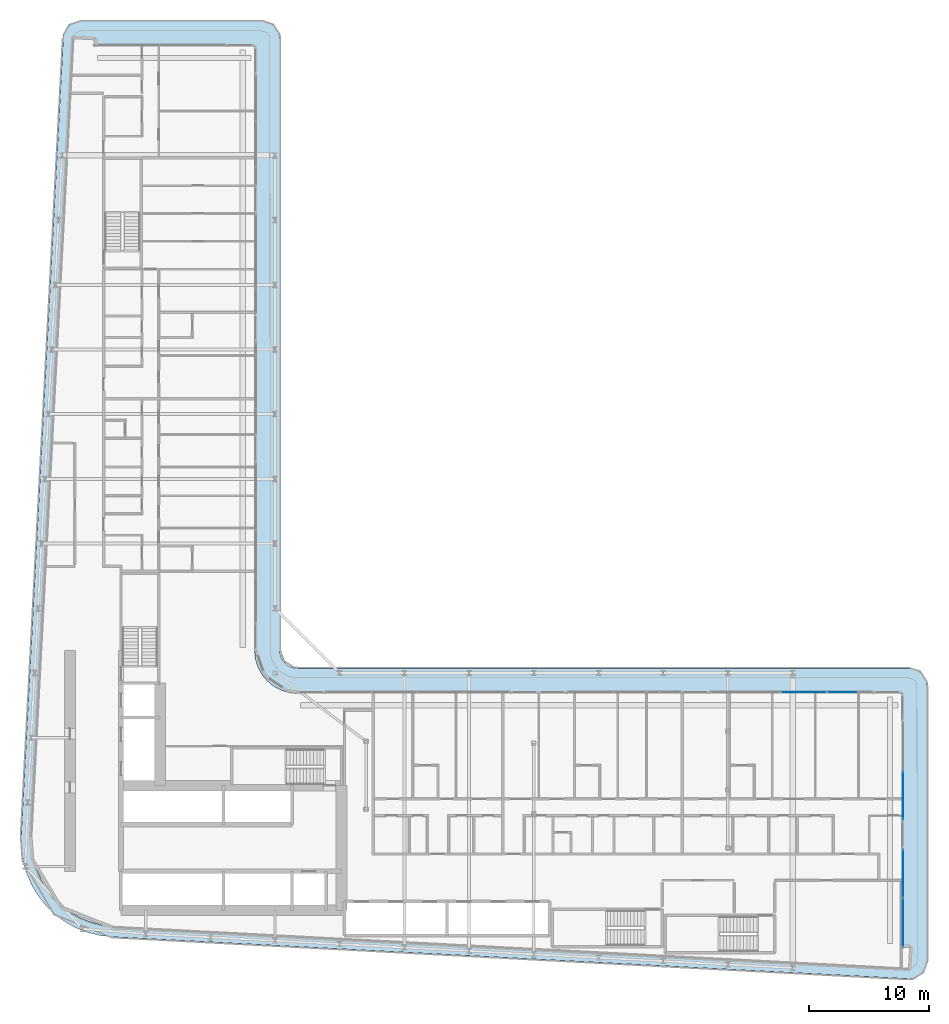
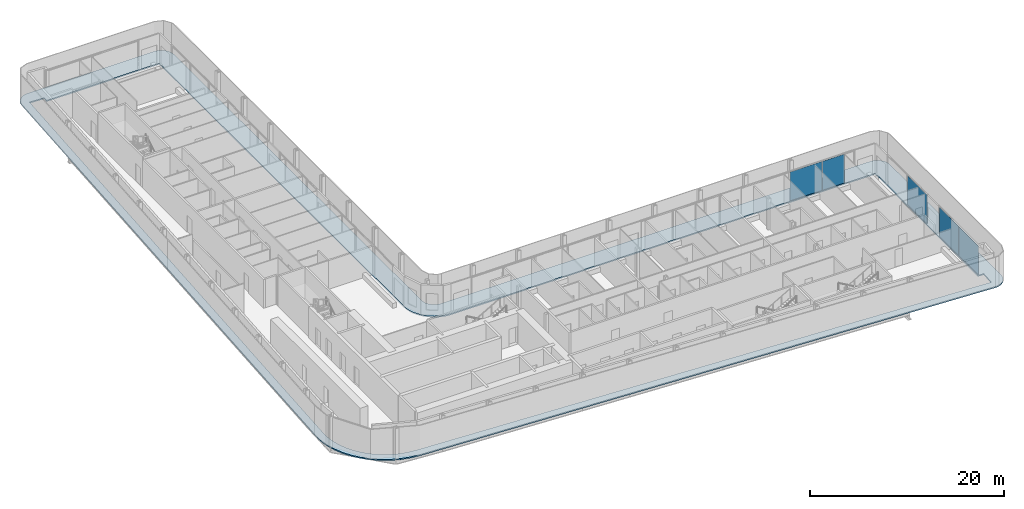
# One storey, part 12 of 29: 5 plates, 1 slab, 3 elements without a shape of their own.
"""IFC4 building model written with IfcOpenShell, lengths in metres."""

from ifc_helpers import new_model, si_unit, direction, frame, origin, origin_2d, place, context, subcontext, project, spatial, polyline, rectangle, outline, extrude, material, layer, layer_set, type_object, element, aggregate, save


model = new_model("IFC4")

# Units and contexts
model_context = context("Model", 3, precision=1e-05, world=origin(), true_north=direction((0.0, 1.0)))
body_context = subcontext(model_context, "Body", "Model", "MODEL_VIEW")
ifc_project = project(units=[si_unit("LENGTHUNIT", "METRE"), si_unit("AREAUNIT", "SQUARE_METRE"), si_unit("VOLUMEUNIT", "CUBIC_METRE"), si_unit("PLANEANGLEUNIT", "RADIAN"), si_unit("MASSUNIT", "GRAM", prefix="KILO")], contexts=[model_context])

# Site, building, storey
site_placement = place(None, origin())
site = spatial("IfcSite", under=ifc_project, at=site_placement, CompositionType="ELEMENT")
building_placement = place(site_placement, origin())
building = spatial("IfcBuilding", under=site, at=building_placement, Name="Kheshtan School and Residences Tower", CompositionType="ELEMENT")
storey_placement = place(building_placement, frame((0.0, 0.0, 121.39990234375)))
storey = spatial("IfcBuildingStorey", under=building, at=storey_placement, Name="L28", CompositionType="ELEMENT", Elevation=121.39990234375)

# Curtain wall, plates
ifc_material_1 = material(Name="Clear low-e glass in thermally broken aluminium frame", Category="aluminium")
ifc_layer_1 = layer(ifc_material_1, 0.199951171875)
ifc_layer_set_1 = layer_set([ifc_layer_1], Name="Curtain wall CW-L")
curtain_wall_type = type_object("IfcCurtainWallType", Name="Curtain wall CW-L", PredefinedType="NOTDEFINED", material=ifc_layer_set_1)
curtain_wall_1_placement = place(storey_placement, origin())
curtain_wall_1 = element("IfcCurtainWall", 1, at=curtain_wall_1_placement, inside=storey, type_object=curtain_wall_type, Name="Curtain wall CWL12k", PredefinedType="NOTDEFINED")
ifc_layer_2 = layer(ifc_material_1, 0.031982421875)
ifc_layer_set_2 = layer_set([ifc_layer_2], Name="CW-L glass panel")
plate_type = type_object("IfcPlateType", Name="CW-L glass panel", PredefinedType="CURTAIN_PANEL", material=ifc_layer_set_2)
plate_1_placement = place(storey_placement, frame((91.714599609375, 44.0, 0.000244140625), z_axis=(0.0, 0.0, 1.0), x_axis=(1.0, 0.0, 0.0)))
plate_1 = element("IfcPlate", 2, at=plate_1_placement, type_object=plate_type, Name="CWL12k panel 1.1", PredefinedType="CURTAIN_PANEL", context=body_context, shape_type="SweptSolid", body=[
    extrude(rectangle(XDim=3.81689453125, YDim=0.031982421875, at=origin_2d()), origin(), (0.0, 0.0, 1.0), 3.6298828125),
])
plate_2_placement = place(storey_placement, frame((94.9765625, 44.0, 0.000244140625), z_axis=(0.0, 0.0, 1.0), x_axis=(1.0, 0.0, 0.0)))
plate_2 = element("IfcPlate", 3, at=plate_2_placement, type_object=plate_type, Name="CWL12k panel 2.1", PredefinedType="CURTAIN_PANEL", context=body_context, shape_type="SweptSolid", body=[
    extrude(rectangle(XDim=2.5869140625, YDim=0.031982421875, at=origin_2d()), origin(), (0.0, 0.0, 1.0), 3.6298828125),
])
aggregate(curtain_wall_1, [plate_1, plate_2])

# Curtain wall, plate
curtain_wall_2_placement = place(storey_placement, origin())
curtain_wall_2 = element("IfcCurtainWall", 4, at=curtain_wall_2_placement, inside=storey, type_object=curtain_wall_type, Name="Curtain wall CWL13b", PredefinedType="NOTDEFINED")
plate_3_placement = place(storey_placement, frame((100.0, 35.370361328125, 0.000244140625), z_axis=(0.0, 0.0, 1.0), x_axis=(0.0, -1.0, 0.0)))
plate_3 = element("IfcPlate", 5, at=plate_3_placement, type_object=plate_type, Name="CWL13b panel 2.1", PredefinedType="CURTAIN_PANEL", context=body_context, shape_type="SweptSolid", body=[
    extrude(rectangle(XDim=4.006591796875, YDim=0.031982421875, at=origin_2d()), origin(), (0.0, 0.0, 1.0), 3.6298828125),
])
aggregate(curtain_wall_2, [plate_3])

# Curtain wall, plates
curtain_wall_3_placement = place(storey_placement, origin())
curtain_wall_3 = element("IfcCurtainWall", 6, at=curtain_wall_3_placement, inside=storey, type_object=curtain_wall_type, Name="Curtain wall CWL13b", PredefinedType="NOTDEFINED")
plate_4_placement = place(storey_placement, frame((100.0, 28.84375, 0.000244140625), z_axis=(0.0, 0.0, 1.0), x_axis=(0.0, -1.0, 0.0)))
plate_4 = element("IfcPlate", 7, at=plate_4_placement, type_object=plate_type, Name="CWL13b panel 1.1", PredefinedType="CURTAIN_PANEL", context=body_context, shape_type="SweptSolid", body=[
    extrude(rectangle(XDim=4.006591796875, YDim=0.031982421875, at=origin_2d()), origin(), (0.0, 0.0, 1.0), 3.6298828125),
])
plate_5_placement = place(storey_placement, frame((100.0, 24.77734375, 0.000244140625), z_axis=(0.0, 0.0, 1.0), x_axis=(0.0, -1.0, 0.0)))
plate_5 = element("IfcPlate", 8, at=plate_5_placement, type_object=plate_type, Name="CWL13b panel 2.1", PredefinedType="CURTAIN_PANEL", context=body_context, shape_type="SweptSolid", body=[
    extrude(rectangle(XDim=4.006591796875, YDim=0.031982421875, at=origin_2d()), origin(), (0.0, 0.0, 1.0), 3.6298828125),
])
aggregate(curtain_wall_3, [plate_4, plate_5])

# Slab
ifc_material_2 = material(Name="Concrete C40/50", Category="concrete")
ifc_layer_3 = layer(ifc_material_2, 0.14990234375)
ifc_layer_set_3 = layer_set([ifc_layer_3], Name="Loggia balcony slab 150 Concrete C40/50")
slab_type = type_object("IfcSlabType", Name="Loggia balcony slab 150 Concrete C40/50", PredefinedType="FLOOR", material=ifc_layer_set_3)
slab_placement = place(storey_placement, frame((0.0, 0.0, -0.14990234375)))
element("IfcSlab", 9, at=slab_placement, inside=storey, type_object=slab_type, Name="Loggia balcony slab L28", PredefinedType="FLOOR", context=body_context, shape_type="SweptSolid", body=[
    extrude(outline(polyline([(28.4580078125, 26.222900390625), (28.45703125, 26.222900390625), (28.45703125, 26.22412109375), (28.4560546875, 26.22412109375), (27.81494140625, 27.0390625), (27.281005859375, 27.93798828125), (26.867919921875, 28.89990234375), (26.583984375, 29.89990234375), (26.583984375, 29.906982421875), (26.43408203125, 30.943115234375), (26.419921875, 31.989013671875), (29.925048828125, 98.5791015625), (29.930908203125, 98.626953125), (29.930908203125, 98.6279296875), (29.929931640625, 98.6279296875), (29.929931640625, 98.62890625), (29.928955078125, 98.62890625), (29.928955078125, 98.6298828125), (29.927978515625, 98.6298828125), (29.927978515625, 98.631103515625), (29.927001953125, 98.631103515625), (29.927001953125, 98.632080078125), (29.927001953125, 98.633056640625), (29.945068359375, 98.781005859375), (29.945068359375, 98.783935546875), (29.945068359375, 98.784912109375), (29.946044921875, 98.784912109375), (29.946044921875, 98.785888671875), (29.947021484375, 98.785888671875), (29.947021484375, 98.787109375), (29.947998046875, 98.787109375), (29.948974609375, 98.787109375), (29.948974609375, 98.7880859375), (29.949951171875, 98.7880859375), (29.949951171875, 98.7890625), (29.949951171875, 98.791015625), (30.0029296875, 98.98388671875), (30.083984375, 99.175048828125), (30.18896484375, 99.35302734375), (30.31103515625, 99.507080078125), (30.31201171875, 99.507080078125), (30.31201171875, 99.508056640625), (30.31298828125, 99.508056640625), (30.31298828125, 99.509033203125), (30.31396484375, 99.509033203125), (30.31396484375, 99.510009765625), (30.31494140625, 99.510009765625), (30.31494140625, 99.510986328125), (30.31591796875, 99.510986328125), (30.31591796875, 99.511962890625), (30.31689453125, 99.511962890625), (30.31689453125, 99.512939453125), (30.318115234375, 99.512939453125), (30.320068359375, 99.512939453125), (30.321044921875, 99.512939453125), (30.321044921875, 99.513916015625), (30.468017578125, 99.656982421875), (30.468994140625, 99.656982421875), (30.468994140625, 99.657958984375), (30.469970703125, 99.657958984375), (30.469970703125, 99.658935546875), (30.470947265625, 99.658935546875), (30.470947265625, 99.659912109375), (30.471923828125, 99.659912109375), (30.471923828125, 99.660888671875), (30.472900390625, 99.660888671875), (30.472900390625, 99.662109375), (30.47412109375, 99.662109375), (30.47412109375, 99.6630859375), (30.47509765625, 99.6630859375), (30.47509765625, 99.6640625), (30.635986328125, 99.777099609375), (30.820068359375, 99.873046875), (31.007080078125, 99.943115234375), (31.013916015625, 99.943115234375), (31.217041015625, 99.986083984375), (31.423095703125, 100.0), (46.5, 100.0), (46.696044921875, 99.987060546875), (46.887939453125, 99.948974609375), (46.89501953125, 99.948974609375), (47.073974609375, 99.885986328125), (47.243896484375, 99.801025390625), (47.2451171875, 99.801025390625), (47.2470703125, 99.801025390625), (47.248046875, 99.801025390625), (47.248046875, 99.802001953125), (47.2490234375, 99.802001953125), (47.2490234375, 99.802978515625), (47.25, 99.802978515625), (47.2529296875, 99.802978515625), (47.25390625, 99.802978515625), (47.25390625, 99.802001953125), (47.2548828125, 99.802001953125), (47.2548828125, 99.801025390625), (47.256103515625, 99.801025390625), (47.256103515625, 99.800048828125), (47.257080078125, 99.800048828125), (47.257080078125, 99.799072265625), (47.258056640625, 99.799072265625), (47.258056640625, 99.798095703125), (47.412109375, 99.696044921875), (47.4130859375, 99.696044921875), (47.4130859375, 99.695068359375), (47.4140625, 99.695068359375), (47.4140625, 99.694091796875), (47.4140625, 99.68994140625), (47.4140625, 99.68896484375), (47.4150390625, 99.68896484375), (47.4150390625, 99.68798828125), (47.416015625, 99.68798828125), (47.416015625, 99.68701171875), (47.4169921875, 99.68701171875), (47.4169921875, 99.68603515625), (47.554931640625, 99.568115234375), (47.554931640625, 99.56689453125), (47.555908203125, 99.56689453125), (47.555908203125, 99.56591796875), (47.556884765625, 99.56591796875), (47.556884765625, 99.56494140625), (47.55810546875, 99.56494140625), (47.55810546875, 99.56396484375), (47.55908203125, 99.56396484375), (47.55908203125, 99.56298828125), (47.56005859375, 99.56298828125), (47.56005859375, 99.56201171875), (47.56103515625, 99.56201171875), (47.56201171875, 99.56103515625), (47.56201171875, 99.56005859375), (47.56298828125, 99.56005859375), (47.56298828125, 99.55908203125), (47.56396484375, 99.55908203125), (47.56396484375, 99.55810546875), (47.56494140625, 99.55810546875), (47.56494140625, 99.556884765625), (47.56591796875, 99.556884765625), (47.56591796875, 99.555908203125), (47.56689453125, 99.555908203125), (47.56689453125, 99.554931640625), (47.568115234375, 99.554931640625), (47.68505859375, 99.41796875), (47.68603515625, 99.41796875), (47.68603515625, 99.4169921875), (47.68701171875, 99.4169921875), (47.68701171875, 99.416015625), (47.68798828125, 99.416015625), (47.68798828125, 99.4150390625), (47.68896484375, 99.4150390625), (47.68896484375, 99.4140625), (47.68994140625, 99.4140625), (47.694091796875, 99.4140625), (47.695068359375, 99.4140625), (47.695068359375, 99.4130859375), (47.696044921875, 99.4130859375), (47.696044921875, 99.412109375), (47.797119140625, 99.259033203125), (47.798095703125, 99.259033203125), (47.798095703125, 99.258056640625), (47.799072265625, 99.258056640625), (47.799072265625, 99.257080078125), (47.800048828125, 99.257080078125), (47.800048828125, 99.256103515625), (47.801025390625, 99.256103515625), (47.801025390625, 99.2548828125), (47.802001953125, 99.2548828125), (47.802001953125, 99.25390625), (47.802978515625, 99.25390625), (47.802978515625, 99.2529296875), (47.802978515625, 99.25), (47.802978515625, 99.2490234375), (47.802001953125, 99.2490234375), (47.802001953125, 99.248046875), (47.801025390625, 99.248046875), (47.801025390625, 99.2470703125), (47.801025390625, 99.243896484375), (47.801025390625, 99.242919921875), (47.885986328125, 99.073974609375), (47.948974609375, 98.89501953125), (47.948974609375, 98.887939453125), (47.987060546875, 98.696044921875), (48.0, 98.5), (48.0, 47.5), (48.012939453125, 47.303955078125), (48.051025390625, 47.113037109375), (48.051025390625, 47.10693359375), (48.051025390625, 47.10595703125), (48.114013671875, 46.926025390625), (48.200927734375, 46.75), (48.31005859375, 46.5869140625), (48.431884765625, 46.444091796875), (48.43310546875, 46.444091796875), (48.43310546875, 46.443115234375), (48.43408203125, 46.443115234375), (48.43408203125, 46.44189453125), (48.43505859375, 46.44189453125), (48.43505859375, 46.44091796875), (48.43603515625, 46.44091796875), (48.43603515625, 46.43994140625), (48.43701171875, 46.43994140625), (48.43701171875, 46.43896484375), (48.43798828125, 46.43896484375), (48.43896484375, 46.43798828125), (48.43896484375, 46.43701171875), (48.43994140625, 46.43701171875), (48.43994140625, 46.43603515625), (48.44091796875, 46.43603515625), (48.44091796875, 46.43505859375), (48.44189453125, 46.43505859375), (48.44189453125, 46.43408203125), (48.443115234375, 46.43408203125), (48.443115234375, 46.43310546875), (48.444091796875, 46.43310546875), (48.444091796875, 46.431884765625), (48.5869140625, 46.31005859375), (48.75, 46.200927734375), (48.926025390625, 46.114013671875), (49.10595703125, 46.051025390625), (49.10693359375, 46.051025390625), (49.113037109375, 46.051025390625), (49.303955078125, 46.012939453125), (49.5, 46.0), (100.5, 46.0), (100.696044921875, 45.987060546875), (100.887939453125, 45.948974609375), (100.89501953125, 45.948974609375), (101.073974609375, 45.885986328125), (101.241943359375, 45.801025390625), (101.242919921875, 45.801025390625), (101.2470703125, 45.801025390625), (101.248046875, 45.801025390625), (101.248046875, 45.802001953125), (101.2490234375, 45.802001953125), (101.2490234375, 45.802978515625), (101.25, 45.802978515625), (101.2529296875, 45.802978515625), (101.25390625, 45.802978515625), (101.25390625, 45.802001953125), (101.2548828125, 45.802001953125), (101.2548828125, 45.801025390625), (101.256103515625, 45.801025390625), (101.256103515625, 45.800048828125), (101.257080078125, 45.800048828125), (101.257080078125, 45.799072265625), (101.258056640625, 45.799072265625), (101.258056640625, 45.798095703125), (101.259033203125, 45.798095703125), (101.259033203125, 45.797119140625), (101.260009765625, 45.797119140625), (101.260009765625, 45.7958984375), (101.412109375, 45.696044921875), (101.4130859375, 45.696044921875), (101.4130859375, 45.695068359375), (101.4140625, 45.695068359375), (101.4140625, 45.694091796875), (101.4140625, 45.68994140625), (101.4140625, 45.68896484375), (101.4150390625, 45.68896484375), (101.4150390625, 45.68798828125), (101.416015625, 45.68798828125), (101.416015625, 45.68701171875), (101.4169921875, 45.68701171875), (101.4169921875, 45.68603515625), (101.41796875, 45.68603515625), (101.41796875, 45.68505859375), (101.4189453125, 45.68505859375), (101.4189453125, 45.68408203125), (101.554931640625, 45.568115234375), (101.554931640625, 45.56689453125), (101.555908203125, 45.56689453125), (101.555908203125, 45.56591796875), (101.556884765625, 45.56591796875), (101.556884765625, 45.56494140625), (101.55810546875, 45.56494140625), (101.55810546875, 45.56396484375), (101.55908203125, 45.56396484375), (101.55908203125, 45.56298828125), (101.56005859375, 45.56298828125), (101.56005859375, 45.56201171875), (101.56103515625, 45.56201171875), (101.56201171875, 45.56103515625), (101.56201171875, 45.56005859375), (101.56298828125, 45.56005859375), (101.56298828125, 45.55908203125), (101.56396484375, 45.55908203125), (101.56396484375, 45.55810546875), (101.56494140625, 45.55810546875), (101.56494140625, 45.556884765625), (101.56591796875, 45.556884765625), (101.56591796875, 45.555908203125), (101.56689453125, 45.555908203125), (101.56689453125, 45.554931640625), (101.568115234375, 45.554931640625), (101.681884765625, 45.4208984375), (101.68310546875, 45.4208984375), (101.68310546875, 45.419921875), (101.68408203125, 45.419921875), (101.68408203125, 45.4189453125), (101.68505859375, 45.4189453125), (101.68505859375, 45.41796875), (101.68603515625, 45.41796875), (101.68603515625, 45.4169921875), (101.68701171875, 45.4169921875), (101.68701171875, 45.416015625), (101.68798828125, 45.416015625), (101.68798828125, 45.4150390625), (101.68896484375, 45.4150390625), (101.68896484375, 45.4140625), (101.68994140625, 45.4140625), (101.694091796875, 45.4140625), (101.695068359375, 45.4140625), (101.695068359375, 45.4130859375), (101.696044921875, 45.4130859375), (101.696044921875, 45.412109375), (101.7939453125, 45.261962890625), (101.794921875, 45.261962890625), (101.794921875, 45.260986328125), (101.7958984375, 45.260986328125), (101.7958984375, 45.260009765625), (101.797119140625, 45.260009765625), (101.797119140625, 45.259033203125), (101.798095703125, 45.259033203125), (101.798095703125, 45.258056640625), (101.799072265625, 45.258056640625), (101.799072265625, 45.257080078125), (101.800048828125, 45.257080078125), (101.800048828125, 45.256103515625), (101.801025390625, 45.256103515625), (101.801025390625, 45.2548828125), (101.802001953125, 45.2548828125), (101.802001953125, 45.25390625), (101.802978515625, 45.25390625), (101.802978515625, 45.2529296875), (101.802978515625, 45.25), (101.802978515625, 45.2490234375), (101.802001953125, 45.2490234375), (101.802001953125, 45.248046875), (101.801025390625, 45.248046875), (101.801025390625, 45.2470703125), (101.801025390625, 45.240966796875), (101.801025390625, 45.239990234375), (101.885986328125, 45.073974609375), (101.948974609375, 44.89501953125), (101.948974609375, 44.887939453125), (101.987060546875, 44.696044921875), (102.0, 44.5), (102.0, 21.5810546875), (101.986083984375, 21.37890625), (101.945068359375, 21.179931640625), (101.945068359375, 21.173095703125), (101.8779296875, 20.989013671875), (101.785888671875, 20.80810546875), (101.6708984375, 20.64306640625), (101.6708984375, 20.64208984375), (101.6708984375, 20.64111328125), (101.6708984375, 20.639892578125), (101.672119140625, 20.639892578125), (101.672119140625, 20.638916015625), (101.672119140625, 20.636962890625), (101.672119140625, 20.635986328125), (101.6708984375, 20.635986328125), (101.6708984375, 20.635009765625), (101.5380859375, 20.491943359375), (101.534912109375, 20.489013671875), (101.533935546875, 20.489013671875), (101.533935546875, 20.488037109375), (101.532958984375, 20.488037109375), (101.531005859375, 20.488037109375), (101.530029296875, 20.488037109375), (101.530029296875, 20.489013671875), (101.529052734375, 20.489013671875), (101.528076171875, 20.489013671875), (101.527099609375, 20.489013671875), (101.3759765625, 20.364013671875), (101.2041015625, 20.256103515625), (101.01904296875, 20.174072265625), (100.8310546875, 20.116943359375), (100.823974609375, 20.116943359375), (100.6240234375, 20.0859375), (100.4208984375, 20.0830078125), (33.989013671875, 23.580078125), (33.94189453125, 23.5859375), (33.94091796875, 23.5859375), (33.93994140625, 23.5859375), (33.93994140625, 23.5849609375), (33.93896484375, 23.5849609375), (33.93896484375, 23.583984375), (33.93798828125, 23.583984375), (33.93798828125, 23.5830078125), (33.93701171875, 23.5830078125), (33.93701171875, 23.58203125), (33.93603515625, 23.58203125), (33.93505859375, 23.58203125), (32.952880859375, 23.697998046875), (32.949951171875, 23.697998046875), (32.948974609375, 23.697998046875), (32.948974609375, 23.698974609375), (32.947998046875, 23.698974609375), (32.947998046875, 23.699951171875), (32.947021484375, 23.699951171875), (32.947021484375, 23.700927734375), (32.947021484375, 23.702880859375), (32.947021484375, 23.7041015625), (32.946044921875, 23.7041015625), (32.946044921875, 23.705078125), (32.945068359375, 23.705078125), (32.944091796875, 23.705078125), (31.93603515625, 23.9609375), (31.928955078125, 23.9609375), (30.964111328125, 24.34912109375), (30.051025390625, 24.860107421875), (29.218994140625, 25.47900390625), (29.218994140625, 25.47998046875), (29.218017578125, 25.47998046875), (29.218017578125, 25.48095703125), (29.217041015625, 25.48095703125), (29.217041015625, 25.48193359375), (29.216064453125, 25.48193359375), (29.216064453125, 25.48291015625), (29.215087890625, 25.48291015625), (29.215087890625, 25.48388671875), (29.214111328125, 25.48388671875), (29.214111328125, 25.485107421875), (29.212890625, 25.485107421875), (29.212890625, 25.486083984375), (29.2119140625, 25.486083984375), (28.466064453125, 26.217041015625), (28.466064453125, 26.218017578125), (28.465087890625, 26.218017578125), (28.462890625, 26.218017578125), (28.4619140625, 26.218017578125), (28.4619140625, 26.218994140625), (28.4609375, 26.218994140625), (28.4609375, 26.219970703125), (28.4599609375, 26.219970703125), (28.4599609375, 26.220947265625), (28.458984375, 26.220947265625), (28.458984375, 26.221923828125), (28.4580078125, 26.221923828125), (28.4580078125, 26.222900390625)]), holes=[polyline([(29.12890625, 26.824951171875), (29.12890625, 26.823974609375), (29.1298828125, 26.823974609375), (29.1298828125, 26.822998046875), (29.131103515625, 26.822998046875), (29.131103515625, 26.822021484375), (29.132080078125, 26.822021484375), (29.132080078125, 26.821044921875), (29.133056640625, 26.821044921875), (29.133056640625, 26.820068359375), (29.134033203125, 26.820068359375), (29.7958984375, 26.173095703125), (29.7958984375, 26.172119140625), (29.797119140625, 26.172119140625), (29.798095703125, 26.172119140625), (29.799072265625, 26.172119140625), (29.799072265625, 26.1708984375), (29.800048828125, 26.1708984375), (29.800048828125, 26.169921875), (29.801025390625, 26.169921875), (29.801025390625, 26.1689453125), (29.802001953125, 26.1689453125), (29.802001953125, 26.16796875), (29.802978515625, 26.16796875), (29.802978515625, 26.1669921875), (29.803955078125, 26.1669921875), (29.803955078125, 26.166015625), (30.541015625, 25.616943359375), (31.35205078125, 25.1630859375), (32.208984375, 24.819091796875), (32.2099609375, 24.819091796875), (32.216064453125, 24.819091796875), (33.114990234375, 24.590087890625), (34.06591796875, 24.47705078125), (100.43798828125, 20.98291015625), (100.465087890625, 20.98388671875), (100.466064453125, 20.98388671875), (100.467041015625, 20.98388671875), (100.467041015625, 20.985107421875), (100.468017578125, 20.985107421875), (100.468017578125, 20.986083984375), (100.468017578125, 20.987060546875), (100.55810546875, 22.676025390625), (100.55810546875, 22.677001953125), (100.55810546875, 22.677978515625), (100.556884765625, 22.677978515625), (100.556884765625, 22.678955078125), (100.555908203125, 22.678955078125), (100.554931640625, 22.678955078125), (99.90087890625, 22.714111328125), (99.89990234375, 22.714111328125), (99.89990234375, 22.715087890625), (99.89990234375, 43.89794921875), (99.89990234375, 43.89892578125), (99.89892578125, 43.89892578125), (99.89892578125, 43.89990234375), (99.89794921875, 43.89990234375), (49.429931640625, 43.89990234375), (49.030029296875, 43.927001953125), (48.569091796875, 44.01806640625), (48.56201171875, 44.01806640625), (48.1201171875, 44.169921875), (47.697021484375, 44.37890625), (47.30810546875, 44.638916015625), (46.95703125, 44.944091796875), (46.95703125, 44.945068359375), (46.9560546875, 44.945068359375), (46.9560546875, 44.946044921875), (46.955078125, 44.946044921875), (46.955078125, 44.947021484375), (46.9541015625, 44.947021484375), (46.9541015625, 44.947998046875), (46.952880859375, 44.947998046875), (46.952880859375, 44.948974609375), (46.951904296875, 44.948974609375), (46.951904296875, 44.949951171875), (46.951904296875, 44.950927734375), (46.950927734375, 44.950927734375), (46.950927734375, 44.951904296875), (46.949951171875, 44.951904296875), (46.948974609375, 44.951904296875), (46.948974609375, 44.952880859375), (46.947998046875, 44.952880859375), (46.947998046875, 44.9541015625), (46.947021484375, 44.9541015625), (46.947021484375, 44.955078125), (46.946044921875, 44.955078125), (46.946044921875, 44.9560546875), (46.945068359375, 44.9560546875), (46.945068359375, 44.95703125), (46.944091796875, 44.95703125), (46.638916015625, 45.30810546875), (46.37890625, 45.697021484375), (46.169921875, 46.1201171875), (46.01806640625, 46.56201171875), (46.01806640625, 46.569091796875), (45.927001953125, 47.030029296875), (45.89990234375, 47.429931640625), (45.89990234375, 97.89794921875), (45.89990234375, 97.89892578125), (45.89892578125, 97.89892578125), (45.89892578125, 97.89990234375), (45.89794921875, 97.89990234375), (32.492919921875, 97.89990234375), (32.491943359375, 97.89990234375), (32.52099609375, 98.43896484375), (32.52099609375, 98.43994140625), (32.52099609375, 98.44091796875), (32.52001953125, 98.44091796875), (32.52001953125, 98.44189453125), (32.51904296875, 98.44189453125), (32.51806640625, 98.44189453125), (30.8291015625, 98.531982421875), (30.827880859375, 98.531982421875), (30.826904296875, 98.531982421875), (30.826904296875, 98.531005859375), (30.825927734375, 98.531005859375), (30.825927734375, 98.530029296875), (30.825927734375, 98.529052734375), (30.822021484375, 98.5009765625), (27.320068359375, 31.970947265625), (27.3330078125, 31.013916015625), (27.466064453125, 30.093994140625), (27.466064453125, 30.087890625), (27.466064453125, 30.0869140625), (27.718017578125, 29.200927734375), (28.0849609375, 28.345947265625), (28.55908203125, 27.550048828125), (29.126953125, 26.825927734375), (29.1279296875, 26.825927734375), (29.1279296875, 26.824951171875), (29.12890625, 26.824951171875)])]), origin(), (0.0, 0.0, 1.0), 0.14990234375),
])

save(model, "model.ifc")
